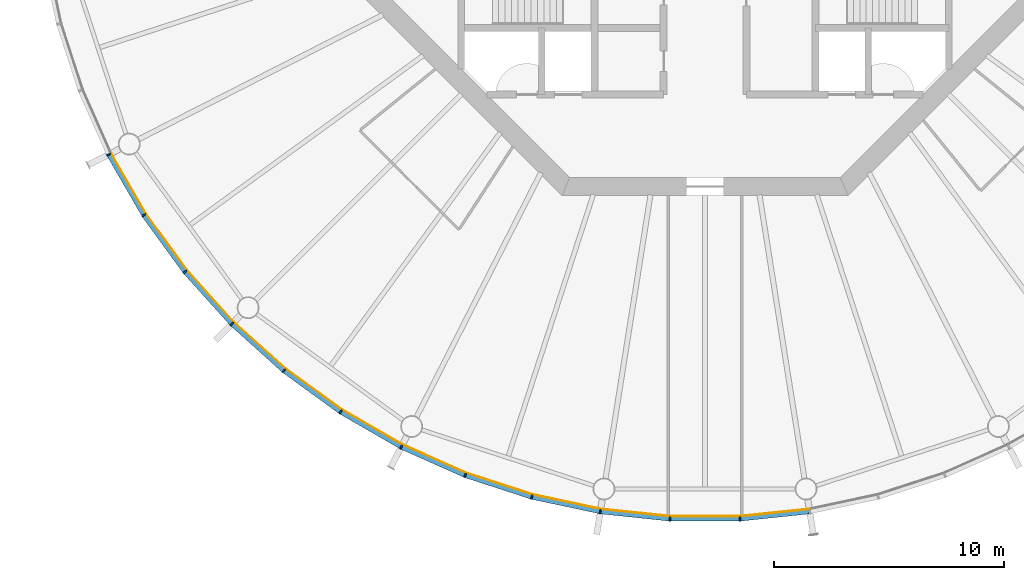
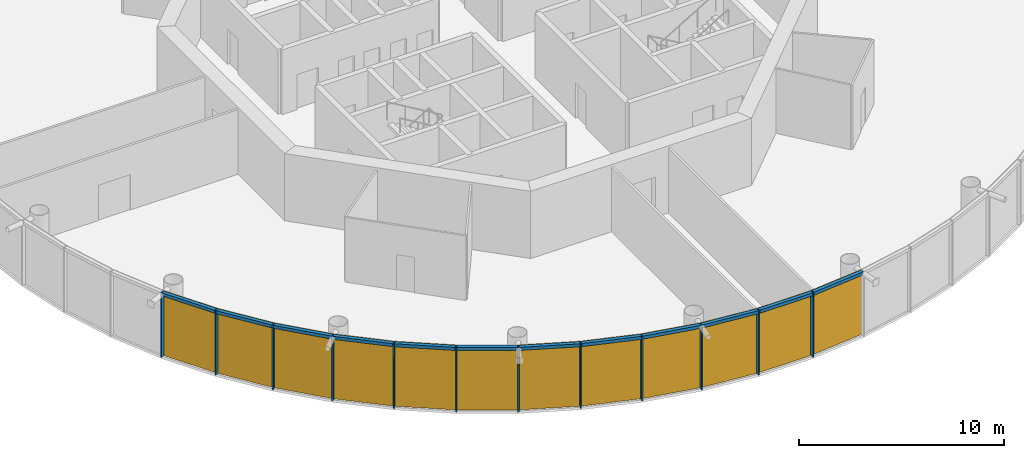
# One storey, part 10 of 16: 24 members, 4 curtain walls.
"""IFC4 building model written with IfcOpenShell, lengths in metres."""

from ifc_helpers import new_model, si_unit, direction, frame, origin, origin_2d, place, context, subcontext, project, spatial, polyline, rectangle, outline, extrude, material, layer, layer_set, material_profile, profile_set, type_object, element, aggregate, save


model = new_model("IFC4")

# Units and contexts
model_context = context("Model", 3, precision=1e-05, world=origin(), true_north=direction((0.0, 1.0)))
body_context = subcontext(model_context, "Body", "Model", "MODEL_VIEW")
ifc_project = project(units=[si_unit("LENGTHUNIT", "METRE"), si_unit("AREAUNIT", "SQUARE_METRE"), si_unit("VOLUMEUNIT", "CUBIC_METRE"), si_unit("PLANEANGLEUNIT", "RADIAN"), si_unit("MASSUNIT", "GRAM", prefix="KILO")], contexts=[model_context])

# Member
ifc_material_1 = material(Name="Anodised aluminium", Category="aluminium")
ifc_material_profile_1 = material_profile(ifc_material_1, rectangle(XDim=0.06494140625, YDim=0.195068359375, at=origin_2d()), Name="Mullion 65 x 195 mm anodised aluminium")
ifc_profile_set_1 = profile_set([ifc_material_profile_1], Name="Anodised aluminium")
member_type_1 = type_object("IfcMemberType", Name="Mullion 65 x 195 mm anodised aluminium", PredefinedType="MULLION", material=ifc_profile_set_1)
site_placement = place(None, origin())
building_placement = place(site_placement, origin())
storey_placement = place(building_placement, frame((0.0, 0.0, 326.0)))
member_1_placement = place(storey_placement, frame((64.073974609375, 66.7900390625, 0.0), z_axis=(0.0, 0.0, 1.0), x_axis=(0.45399049974, -0.891006524188, 0.0)))
member_1 = element("IfcMember", 1, at=member_1_placement, type_object=member_type_1, Name="MULLION L75-33", PredefinedType="MULLION", context=body_context, shape_type="SweptSolid", body=[
    extrude(rectangle(XDim=0.06494140625, YDim=0.195068359375, at=origin_2d()), origin(), (0.0, 0.0, 1.0), 3.85009765625),
])

member_2_placement = place(storey_placement, frame((65.5966796875, 64.15234375, 0.0), z_axis=(0.0, 0.0, 1.0), x_axis=(0.544639035015, -0.838670567945, 0.0)))
member_2 = element("IfcMember", 2, at=member_2_placement, type_object=member_type_1, Name="MULLION L75-34", PredefinedType="MULLION", context=body_context, shape_type="SweptSolid", body=[
    extrude(rectangle(XDim=0.06494140625, YDim=0.195068359375, at=origin_2d()), origin(), (0.0, 0.0, 1.0), 3.85009765625),
])

member_3_placement = place(storey_placement, frame((67.386962890625, 61.688232421875, 0.0), z_axis=(0.0, 0.0, 1.0), x_axis=(0.62932039105, -0.777145961457, 0.0)))
member_3 = element("IfcMember", 3, at=member_3_placement, type_object=member_type_1, Name="MULLION L75-35", PredefinedType="MULLION", context=body_context, shape_type="SweptSolid", body=[
    extrude(rectangle(XDim=0.06494140625, YDim=0.195068359375, at=origin_2d()), origin(), (0.0, 0.0, 1.0), 3.85009765625),
])

member_4_placement = place(storey_placement, frame((69.425048828125, 59.425048828125, 0.0), z_axis=(0.0, 0.0, 1.0), x_axis=(0.707106781187, -0.707106781187, 0.0)))
member_4 = element("IfcMember", 4, at=member_4_placement, type_object=member_type_1, Name="MULLION L75-36", PredefinedType="MULLION", context=body_context, shape_type="SweptSolid", body=[
    extrude(rectangle(XDim=0.06494140625, YDim=0.195068359375, at=origin_2d()), origin(), (0.0, 0.0, 1.0), 3.85009765625),
])

member_5_placement = place(storey_placement, frame((71.688232421875, 57.386962890625, 0.0), z_axis=(0.0, 0.0, 1.0), x_axis=(0.777145961457, -0.62932039105, 0.0)))
member_5 = element("IfcMember", 5, at=member_5_placement, type_object=member_type_1, Name="MULLION L75-37", PredefinedType="MULLION", context=body_context, shape_type="SweptSolid", body=[
    extrude(rectangle(XDim=0.06494140625, YDim=0.195068359375, at=origin_2d()), origin(), (0.0, 0.0, 1.0), 3.85009765625),
])

member_6_placement = place(storey_placement, frame((74.15234375, 55.5966796875, 0.0), z_axis=(0.0, 0.0, 1.0), x_axis=(0.838670567945, -0.544639035015, 0.0)))
member_6 = element("IfcMember", 6, at=member_6_placement, type_object=member_type_1, Name="MULLION L75-38", PredefinedType="MULLION", context=body_context, shape_type="SweptSolid", body=[
    extrude(rectangle(XDim=0.06494140625, YDim=0.195068359375, at=origin_2d()), origin(), (0.0, 0.0, 1.0), 3.85009765625),
])

member_7_placement = place(storey_placement, frame((76.7900390625, 54.073974609375, 0.0), z_axis=(0.0, 0.0, 1.0), x_axis=(0.891006524188, -0.45399049974, 0.0)))
member_7 = element("IfcMember", 7, at=member_7_placement, type_object=member_type_1, Name="MULLION L75-39", PredefinedType="MULLION", context=body_context, shape_type="SweptSolid", body=[
    extrude(rectangle(XDim=0.06494140625, YDim=0.195068359375, at=origin_2d()), origin(), (0.0, 0.0, 1.0), 3.85009765625),
])

member_8_placement = place(storey_placement, frame((79.572509765625, 52.835205078125, 0.0), z_axis=(0.0, 0.0, 1.0), x_axis=(0.933580426497, -0.358367949545, 0.0)))
member_8 = element("IfcMember", 8, at=member_8_placement, type_object=member_type_1, Name="MULLION L75-40", PredefinedType="MULLION", context=body_context, shape_type="SweptSolid", body=[
    extrude(rectangle(XDim=0.06494140625, YDim=0.195068359375, at=origin_2d()), origin(), (0.0, 0.0, 1.0), 3.85009765625),
])

member_9_placement = place(storey_placement, frame((82.468994140625, 51.89404296875, 0.0), z_axis=(0.0, 0.0, 1.0), x_axis=(0.965925826289, -0.258819045103, 0.0)))
member_9 = element("IfcMember", 9, at=member_9_placement, type_object=member_type_1, Name="MULLION L75-41", PredefinedType="MULLION", context=body_context, shape_type="SweptSolid", body=[
    extrude(rectangle(XDim=0.06494140625, YDim=0.195068359375, at=origin_2d()), origin(), (0.0, 0.0, 1.0), 3.85009765625),
])

member_10_placement = place(storey_placement, frame((85.4482421875, 51.2607421875, 0.0), z_axis=(0.0, 0.0, 1.0), x_axis=(0.987688340595, -0.15643446504, 0.0)))
member_10 = element("IfcMember", 10, at=member_10_placement, type_object=member_type_1, Name="MULLION L75-42", PredefinedType="MULLION", context=body_context, shape_type="SweptSolid", body=[
    extrude(rectangle(XDim=0.06494140625, YDim=0.195068359375, at=origin_2d()), origin(), (0.0, 0.0, 1.0), 3.85009765625),
])

member_11_placement = place(storey_placement, frame((88.47705078125, 50.9423828125, 0.0), z_axis=(0.0, 0.0, 1.0), x_axis=(0.998629534755, -0.052335956243, 0.0)))
member_11 = element("IfcMember", 11, at=member_11_placement, type_object=member_type_1, Name="MULLION L75-43", PredefinedType="MULLION", context=body_context, shape_type="SweptSolid", body=[
    extrude(rectangle(XDim=0.06494140625, YDim=0.195068359375, at=origin_2d()), origin(), (0.0, 0.0, 1.0), 3.85009765625),
])

member_12_placement = place(storey_placement, frame((91.52294921875, 50.9423828125, 0.0), z_axis=(0.0, 0.0, 1.0), x_axis=(0.998629534755, 0.052335956243, 0.0)))
member_12 = element("IfcMember", 12, at=member_12_placement, type_object=member_type_1, Name="MULLION L75-44", PredefinedType="MULLION", context=body_context, shape_type="SweptSolid", body=[
    extrude(rectangle(XDim=0.06494140625, YDim=0.195068359375, at=origin_2d()), origin(), (0.0, 0.0, 1.0), 3.85009765625),
])

ifc_material_2 = material(Name="Anodised aluminium", Category="aluminium")
ifc_material_profile_2 = material_profile(ifc_material_2, rectangle(XDim=0.195068359375, YDim=0.179931640625, at=origin_2d()), Name="Transom 180 x 195 mm anodised aluminium")
ifc_profile_set_2 = profile_set([ifc_material_profile_2], Name="Anodised aluminium")
member_type_2 = type_object("IfcMemberType", Name="Transom 180 x 195 mm anodised aluminium", PredefinedType="USERDEFINED", material=ifc_profile_set_2)
member_13_placement = place(storey_placement, frame((64.092529296875, 66.75732421875, 3.760009765625), z_axis=(0.500028367561, -0.866009025146, 0.0), x_axis=(0.866009025146, 0.500028367561, 0.0)))
member_13 = element("IfcMember", 13, at=member_13_placement, type_object=member_type_2, Name="TRANSOM L75-33", ObjectType="TRANSOM", PredefinedType="USERDEFINED", context=body_context, shape_type="SweptSolid", body=[
    extrude(rectangle(XDim=0.195068359375, YDim=0.179931640625, at=origin_2d()), origin(), (0.0, 0.0, 1.0), 2.970458984375),
])

member_14_placement = place(storey_placement, frame((65.618896484375, 64.121826171875, 3.760009765625), z_axis=(0.587765987476, -0.809030990733, 0.0), x_axis=(0.809030990733, 0.587765987476, 0.0)))
member_14 = element("IfcMember", 14, at=member_14_placement, type_object=member_type_2, Name="TRANSOM L75-34", ObjectType="TRANSOM", PredefinedType="USERDEFINED", context=body_context, shape_type="SweptSolid", body=[
    extrude(rectangle(XDim=0.195068359375, YDim=0.179931640625, at=origin_2d()), origin(), (0.0, 0.0, 1.0), 2.97021484375),
])

member_15_placement = place(storey_placement, frame((67.412109375, 61.660400390625, 3.760009765625), z_axis=(0.669110027395, -0.743163354343, 0.0), x_axis=(0.743163354343, 0.669110027395, 0.0)))
member_15 = element("IfcMember", 15, at=member_15_placement, type_object=member_type_2, Name="TRANSOM L75-35", ObjectType="TRANSOM", PredefinedType="USERDEFINED", context=body_context, shape_type="SweptSolid", body=[
    extrude(rectangle(XDim=0.195068359375, YDim=0.179931640625, at=origin_2d()), origin(), (0.0, 0.0, 1.0), 2.970458984375),
])

member_16_placement = place(storey_placement, frame((69.452880859375, 59.399658203125, 3.760009765625), z_axis=(0.743163354343, -0.669110027395, 0.0), x_axis=(0.669110027395, 0.743163354343, 0.0)))
member_16 = element("IfcMember", 16, at=member_16_placement, type_object=member_type_2, Name="TRANSOM L75-36", ObjectType="TRANSOM", PredefinedType="USERDEFINED", context=body_context, shape_type="SweptSolid", body=[
    extrude(rectangle(XDim=0.195068359375, YDim=0.179931640625, at=origin_2d()), origin(), (0.0, 0.0, 1.0), 2.970458984375),
])

member_17_placement = place(storey_placement, frame((71.71875, 57.36474609375, 3.760009765625), z_axis=(0.809030990733, -0.587765987476, 0.0), x_axis=(0.587765987476, 0.809030990733, 0.0)))
member_17 = element("IfcMember", 17, at=member_17_placement, type_object=member_type_2, Name="TRANSOM L75-37", ObjectType="TRANSOM", PredefinedType="USERDEFINED", context=body_context, shape_type="SweptSolid", body=[
    extrude(rectangle(XDim=0.195068359375, YDim=0.179931640625, at=origin_2d()), origin(), (0.0, 0.0, 1.0), 2.97021484375),
])

member_18_placement = place(storey_placement, frame((74.184814453125, 55.577880859375, 3.760009765625), z_axis=(0.866009025146, -0.500028367561, 0.0), x_axis=(0.500028367561, 0.866009025146, 0.0)))
member_18 = element("IfcMember", 18, at=member_18_placement, type_object=member_type_2, Name="TRANSOM L75-38", ObjectType="TRANSOM", PredefinedType="USERDEFINED", context=body_context, shape_type="SweptSolid", body=[
    extrude(rectangle(XDim=0.195068359375, YDim=0.179931640625, at=origin_2d()), origin(), (0.0, 0.0, 1.0), 2.970458984375),
])

member_19_placement = place(storey_placement, frame((76.82421875, 54.05859375, 3.760009765625), z_axis=(0.913550406593, -0.406725527369, 0.0), x_axis=(0.406725527369, 0.913550406593, 0.0)))
member_19 = element("IfcMember", 19, at=member_19_placement, type_object=member_type_2, Name="TRANSOM L75-39", ObjectType="TRANSOM", PredefinedType="USERDEFINED", context=body_context, shape_type="SweptSolid", body=[
    extrude(rectangle(XDim=0.195068359375, YDim=0.179931640625, at=origin_2d()), origin(), (0.0, 0.0, 1.0), 2.970703125),
])

member_20_placement = place(storey_placement, frame((79.608154296875, 52.823486328125, 3.760009765625), z_axis=(0.951047960094, -0.309043326415, 0.0), x_axis=(0.309043326415, 0.951047960094, 0.0)))
member_20 = element("IfcMember", 20, at=member_20_placement, type_object=member_type_2, Name="TRANSOM L75-40", ObjectType="TRANSOM", PredefinedType="USERDEFINED", context=body_context, shape_type="SweptSolid", body=[
    extrude(rectangle(XDim=0.195068359375, YDim=0.179931640625, at=origin_2d()), origin(), (0.0, 0.0, 1.0), 2.970458984375),
])

member_21_placement = place(storey_placement, frame((82.505859375, 51.885986328125, 3.760009765625), z_axis=(0.978141510112, -0.207940342877, 0.0), x_axis=(0.207940342877, 0.978141510112, 0.0)))
member_21 = element("IfcMember", 21, at=member_21_placement, type_object=member_type_2, Name="TRANSOM L75-41", ObjectType="TRANSOM", PredefinedType="USERDEFINED", context=body_context, shape_type="SweptSolid", body=[
    extrude(rectangle(XDim=0.195068359375, YDim=0.179931640625, at=origin_2d()), origin(), (0.0, 0.0, 1.0), 2.970458984375),
])

member_22_placement = place(storey_placement, frame((85.485595703125, 51.256591796875, 3.760009765625), z_axis=(0.994528397827, -0.104466577987, 0.0), x_axis=(0.104466577987, 0.994528397827, 0.0)))
member_22 = element("IfcMember", 22, at=member_22_placement, type_object=member_type_2, Name="TRANSOM L75-42", ObjectType="TRANSOM", PredefinedType="USERDEFINED", context=body_context, shape_type="SweptSolid", body=[
    extrude(rectangle(XDim=0.195068359375, YDim=0.179931640625, at=origin_2d()), origin(), (0.0, 0.0, 1.0), 2.970458984375),
])

member_23_placement = place(storey_placement, frame((88.5146484375, 50.942138671875, 3.760009765625), z_axis=(1.0, 0.0, 0.0), x_axis=(0.0, 1.0, 0.0)))
member_23 = element("IfcMember", 23, at=member_23_placement, type_object=member_type_2, Name="TRANSOM L75-43", ObjectType="TRANSOM", PredefinedType="USERDEFINED", context=body_context, shape_type="SweptSolid", body=[
    extrude(rectangle(XDim=0.195068359375, YDim=0.179931640625, at=origin_2d()), origin(), (0.0, 0.0, 1.0), 2.970703125),
])

member_24_placement = place(storey_placement, frame((91.560302734375, 50.9462890625, 3.760009765625), z_axis=(0.994528397827, 0.104466577987, 0.0), x_axis=(-0.104466577987, 0.994528397827, 0.0)))
member_24 = element("IfcMember", 24, at=member_24_placement, type_object=member_type_2, Name="TRANSOM L75-44", ObjectType="TRANSOM", PredefinedType="USERDEFINED", context=body_context, shape_type="SweptSolid", body=[
    extrude(rectangle(XDim=0.195068359375, YDim=0.179931640625, at=origin_2d()), origin(), (0.0, 0.0, 1.0), 2.970458984375),
])

# Site, building, storey
site = spatial("IfcSite", under=ifc_project, at=site_placement, CompositionType="ELEMENT")
building = spatial("IfcBuilding", under=site, at=building_placement, Name="Entoto Ring Tower", CompositionType="ELEMENT")
storey = spatial("IfcBuildingStorey", under=building, at=storey_placement, Name="L75", CompositionType="ELEMENT", Elevation=326.0)

# Curtain wall
ifc_material_3 = material(Name="Clear low-iron glass", Category="glass")
ifc_layer = layer(ifc_material_3, 0.033935546875)
ifc_layer_set = layer_set([ifc_layer], Name="Clear low-iron glass")
curtain_wall_type = type_object("IfcCurtainWallType", Name="Curtain wall system CW5 glazing 34 mm", PredefinedType="NOTDEFINED", material=ifc_layer_set)
curtain_wall_1_placement = place(storey_placement, origin())
curtain_wall_1 = element("IfcCurtainWall", 25, at=curtain_wall_1_placement, inside=storey, type_object=curtain_wall_type, Name="CW5 L75-12", PredefinedType="NOTDEFINED", context=body_context, shape_type="SweptSolid", body=[
    extrude(outline(polyline([(64.160888671875, 66.834228515625), (65.678466796875, 64.20556640625), (67.462646484375, 61.749755859375), (69.493896484375, 59.493896484375), (69.51806640625, 59.51806640625), (67.4892578125, 61.771240234375), (65.70703125, 64.22412109375), (64.191162109375, 66.849853515625), (64.160888671875, 66.834228515625)])), origin(), (0.0, 0.0, 1.0), 3.85009765625),
])

aggregate(curtain_wall_1, [member_1, member_2, member_3, member_13, member_14, member_15])

curtain_wall_2_placement = place(storey_placement, origin())
curtain_wall_2 = element("IfcCurtainWall", 26, at=curtain_wall_2_placement, inside=storey, type_object=curtain_wall_type, Name="CW5 L75-13", PredefinedType="NOTDEFINED", context=body_context, shape_type="SweptSolid", body=[
    extrude(outline(polyline([(69.493896484375, 59.493896484375), (71.749755859375, 57.462646484375), (74.20556640625, 55.678466796875), (76.834228515625, 54.160888671875), (76.849853515625, 54.191162109375), (74.22412109375, 55.70703125), (71.771240234375, 57.4892578125), (69.51806640625, 59.51806640625), (69.493896484375, 59.493896484375)])), origin(), (0.0, 0.0, 1.0), 3.85009765625),
])

aggregate(curtain_wall_2, [member_4, member_5, member_6, member_16, member_17, member_18])

curtain_wall_3_placement = place(storey_placement, origin())
curtain_wall_3 = element("IfcCurtainWall", 27, at=curtain_wall_3_placement, inside=storey, type_object=curtain_wall_type, Name="CW5 L75-14", PredefinedType="NOTDEFINED", context=body_context, shape_type="SweptSolid", body=[
    extrude(outline(polyline([(76.834228515625, 54.160888671875), (79.607421875, 52.92626953125), (82.494140625, 51.988037109375), (85.46337890625, 51.35693359375), (85.46875, 51.390625), (82.503173828125, 52.02099609375), (79.61962890625, 52.9580078125), (76.849853515625, 54.191162109375), (76.834228515625, 54.160888671875)])), origin(), (0.0, 0.0, 1.0), 3.85009765625),
])

aggregate(curtain_wall_3, [member_7, member_8, member_9, member_19, member_20, member_21])

curtain_wall_4_placement = place(storey_placement, origin())
curtain_wall_4 = element("IfcCurtainWall", 28, at=curtain_wall_4_placement, inside=storey, type_object=curtain_wall_type, Name="CW5 L75-15", PredefinedType="NOTDEFINED", context=body_context, shape_type="SweptSolid", body=[
    extrude(outline(polyline([(85.46337890625, 51.35693359375), (88.482177734375, 51.039794921875), (91.517822265625, 51.039794921875), (94.53662109375, 51.35693359375), (94.53125, 51.390625), (91.515869140625, 51.07373046875), (88.484130859375, 51.07373046875), (85.46875, 51.390625), (85.46337890625, 51.35693359375)])), origin(), (0.0, 0.0, 1.0), 3.85009765625),
])

aggregate(curtain_wall_4, [member_10, member_11, member_12, member_22, member_23, member_24])

save(model, "model.ifc")
